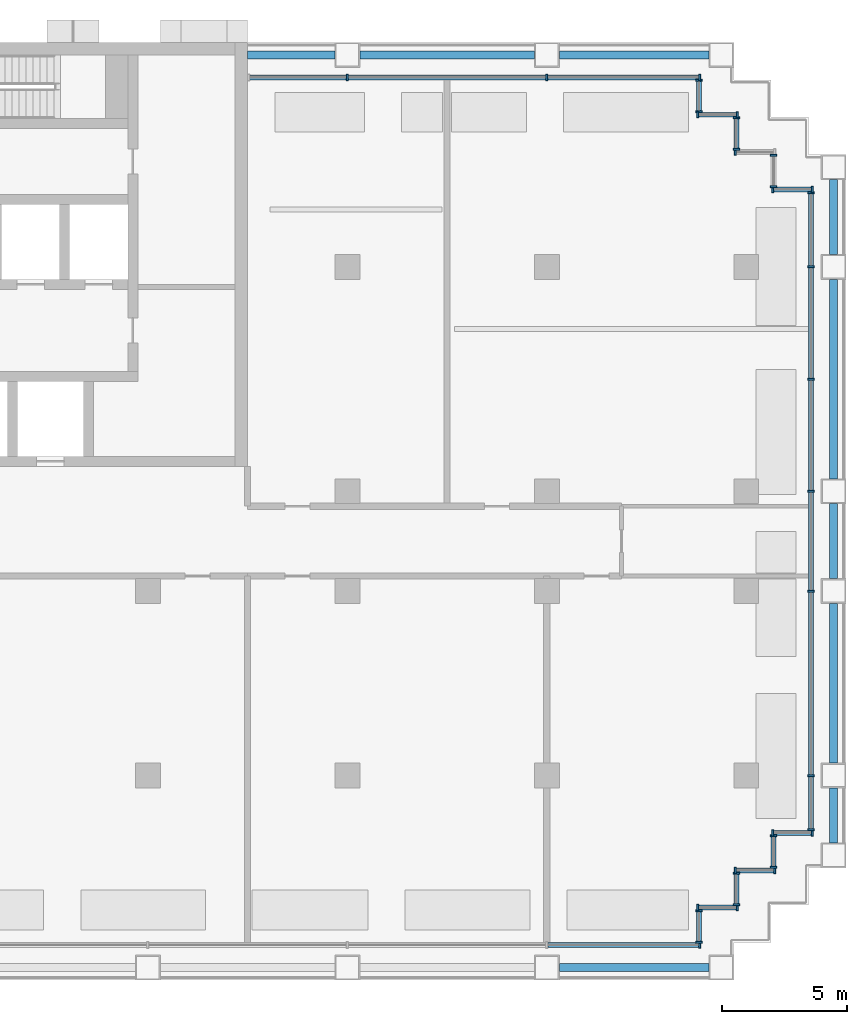
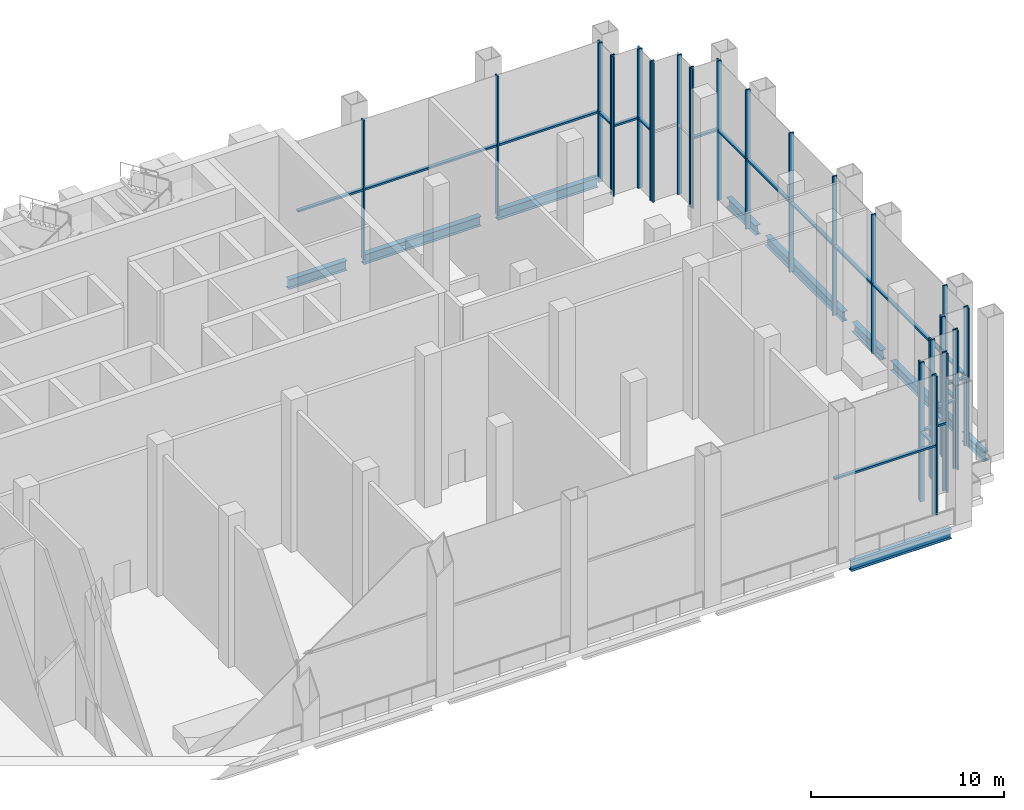
# One storey, part 5 of 16: 54 members, 9 beams, 15 elements without a shape of their own.
"""IFC4 building model written with IfcOpenShell, lengths in metres."""

from ifc_helpers import new_model, si_unit, direction, frame, origin, origin_2d, place, context, subcontext, project, spatial, rectangle, i_section, extrude, material, material_profile, profile_set, type_object, element, aggregate, save


model = new_model("IFC4")

# Units and contexts
model_context = context("Model", 3, precision=1e-05, world=origin(), true_north=direction((0.0, 1.0)))
body_context = subcontext(model_context, "Body", "Model", "MODEL_VIEW")
ifc_project = project(units=[si_unit("LENGTHUNIT", "METRE"), si_unit("AREAUNIT", "SQUARE_METRE"), si_unit("VOLUMEUNIT", "CUBIC_METRE"), si_unit("PLANEANGLEUNIT", "RADIAN"), si_unit("MASSUNIT", "GRAM", prefix="KILO")], contexts=[model_context])

# Site, building, storey
site_placement = place(None, origin())
site = spatial("IfcSite", under=ifc_project, at=site_placement, CompositionType="ELEMENT")
building_placement = place(site_placement, origin())
building = spatial("IfcBuilding", under=site, at=building_placement, Name="Vidyagriha Tower", CompositionType="ELEMENT")
storey_placement = place(building_placement, frame((0.0, 0.0, 64.0)))
storey = spatial("IfcBuildingStorey", under=building, at=storey_placement, Name="L17", CompositionType="ELEMENT", Elevation=64.0)

# Beams
ifc_material_1 = material(Name="Steel ASTM A992 Grade 50", Category="steel")
ifc_material_profile_1 = material_profile(ifc_material_1, i_section(OverallWidth=0.32373046875, OverallDepth=0.612060546875, WebThickness=0.0126953125, FlangeThickness=0.01904296875, at=origin_2d()), Name="W24X104")
ifc_profile_set_1 = profile_set([ifc_material_profile_1], Name="Steel ASTM A992 Grade 50")
beam_type = type_object("IfcBeamType", Name="Edge beam W24X104", PredefinedType="SPANDREL", material=ifc_profile_set_1)
beam_1_placement = place(storey_placement, frame((26.5, -17.10009765625, -0.7060546875), z_axis=(1.0, 0.0, 0.0), x_axis=(0.0, 1.0, 0.0)))
element("IfcBeam", 1, at=beam_1_placement, inside=storey, type_object=beam_type, Name="st-beam-L17-S09", PredefinedType="SPANDREL", context=body_context, shape_type="SweptSolid", body=[
    extrude(i_section(OverallWidth=0.32373046875, OverallDepth=0.612060546875, WebThickness=0.0126953125, FlangeThickness=0.01904296875, at=origin_2d()), origin(), (0.0, 0.0, 1.0), 6.0),
])
beam_2_placement = place(storey_placement, frame((37.5, -12.10009765625, -0.7060546875), z_axis=(0.0, 1.0, 0.0), x_axis=(-1.0, 0.0, 0.0)))
element("IfcBeam", 2, at=beam_2_placement, inside=storey, type_object=beam_type, Name="st-beam-L17-E15", PredefinedType="SPANDREL", context=body_context, shape_type="SweptSolid", body=[
    extrude(i_section(OverallWidth=0.32373046875, OverallDepth=0.612060546875, WebThickness=0.0126953125, FlangeThickness=0.01904296875, at=origin_2d()), origin(), (0.0, 0.0, 1.0), 2.2001953125),
])
beam_3_placement = place(storey_placement, frame((37.5, -8.89990234375, -0.7060546875), z_axis=(0.0, 1.0, 0.0), x_axis=(-1.0, 0.0, 0.0)))
element("IfcBeam", 3, at=beam_3_placement, inside=storey, type_object=beam_type, Name="st-beam-L17-E16", PredefinedType="SPANDREL", context=body_context, shape_type="SweptSolid", body=[
    extrude(i_section(OverallWidth=0.32373046875, OverallDepth=0.612060546875, WebThickness=0.0126953125, FlangeThickness=0.01904296875, at=origin_2d()), origin(), (0.0, 0.0, 1.0), 6.39990234375),
])
beam_4_placement = place(storey_placement, frame((37.5, -1.5, -0.7060546875), z_axis=(0.0, 1.0, 0.0), x_axis=(-1.0, 0.0, 0.0)))
element("IfcBeam", 4, at=beam_4_placement, inside=storey, type_object=beam_type, Name="st-beam-L17-E17", PredefinedType="SPANDREL", context=body_context, shape_type="SweptSolid", body=[
    extrude(i_section(OverallWidth=0.32373046875, OverallDepth=0.612060546875, WebThickness=0.0126953125, FlangeThickness=0.01904296875, at=origin_2d()), origin(), (0.0, 0.0, 1.0), 3.0),
])
beam_5_placement = place(storey_placement, frame((37.5, 2.5, -0.7060546875), z_axis=(0.0, 1.0, 0.0), x_axis=(-1.0, 0.0, 0.0)))
element("IfcBeam", 5, at=beam_5_placement, inside=storey, type_object=beam_type, Name="st-beam-L17-E18", PredefinedType="SPANDREL", context=body_context, shape_type="SweptSolid", body=[
    extrude(i_section(OverallWidth=0.32373046875, OverallDepth=0.612060546875, WebThickness=0.0126953125, FlangeThickness=0.01904296875, at=origin_2d()), origin(), (0.0, 0.0, 1.0), 8.0),
])
beam_6_placement = place(storey_placement, frame((37.5, 11.5, -0.7060546875), z_axis=(0.0, 1.0, 0.0), x_axis=(-1.0, 0.0, 0.0)))
element("IfcBeam", 6, at=beam_6_placement, inside=storey, type_object=beam_type, Name="st-beam-L17-E19", PredefinedType="SPANDREL", context=body_context, shape_type="SweptSolid", body=[
    extrude(i_section(OverallWidth=0.32373046875, OverallDepth=0.612060546875, WebThickness=0.0126953125, FlangeThickness=0.01904296875, at=origin_2d()), origin(), (0.0, 0.0, 1.0), 3.0),
])
beam_7_placement = place(storey_placement, frame((18.5, 19.5, -0.7060546875), z_axis=(1.0, 0.0, 0.0), x_axis=(0.0, 1.0, 0.0)))
element("IfcBeam", 7, at=beam_7_placement, inside=storey, type_object=beam_type, Name="st-beam-L17-NE22", PredefinedType="SPANDREL", context=body_context, shape_type="SweptSolid", body=[
    extrude(i_section(OverallWidth=0.32373046875, OverallDepth=0.612060546875, WebThickness=0.0126953125, FlangeThickness=0.01904296875, at=origin_2d()), origin(), (0.0, 0.0, 1.0), 7.0),
])
beam_8_placement = place(storey_placement, frame((26.5, 19.5, -0.7060546875), z_axis=(1.0, 0.0, 0.0), x_axis=(0.0, 1.0, 0.0)))
element("IfcBeam", 8, at=beam_8_placement, inside=storey, type_object=beam_type, Name="st-beam-L17-NE23", PredefinedType="SPANDREL", context=body_context, shape_type="SweptSolid", body=[
    extrude(i_section(OverallWidth=0.32373046875, OverallDepth=0.612060546875, WebThickness=0.0126953125, FlangeThickness=0.01904296875, at=origin_2d()), origin(), (0.0, 0.0, 1.0), 6.0),
])
beam_9_placement = place(storey_placement, frame((14.0, 19.5, -0.7060546875), z_axis=(1.0, 0.0, 0.0), x_axis=(0.0, 1.0, 0.0)))
element("IfcBeam", 9, at=beam_9_placement, inside=storey, type_object=beam_type, Name="st-beam-L17-NC25", PredefinedType="SPANDREL", context=body_context, shape_type="SweptSolid", body=[
    extrude(i_section(OverallWidth=0.32373046875, OverallDepth=0.612060546875, WebThickness=0.0126953125, FlangeThickness=0.01904296875, at=origin_2d()), origin(), (0.0, 0.0, 1.0), 3.5),
])

# Curtain wall, members
ifc_material_2 = material(Name="Aluminium and glass curtain wall", Category="aluminium")
curtain_wall_type = type_object("IfcCurtainWallType", Name="Winter garden glazing wall", PredefinedType="USERDEFINED", material=ifc_material_2)
curtain_wall_1_placement = place(storey_placement, origin())
curtain_wall_1 = element("IfcCurtainWall", 10, at=curtain_wall_1_placement, inside=storey, type_object=curtain_wall_type, Name="CW3 winter garden glazing", ObjectType="STICK GLAZING", PredefinedType="USERDEFINED")
ifc_material_3 = material(Name="Aluminium black anodised", Category="aluminium")
ifc_material_profile_2 = material_profile(ifc_material_3, rectangle(XDim=0.260009765625, YDim=0.080078125, at=origin_2d()), Name="Mullion 80x260 black aluminium")
ifc_profile_set_2 = profile_set([ifc_material_profile_2], Name="Aluminium black anodised")
member_type_1 = type_object("IfcMemberType", Name="Mullion 80x260 black aluminium", PredefinedType="MULLION", material=ifc_profile_set_2)
member_1_placement = place(storey_placement, frame((36.639892578125, 14.10009765625, 0.0), z_axis=(0.0, 0.0, 1.0), x_axis=(0.0, -1.0, 0.0)))
member_1 = element("IfcMember", 11, at=member_1_placement, type_object=member_type_1, Name="CW3 mullion 1", PredefinedType="MULLION", context=body_context, shape_type="SweptSolid", body=[
    extrude(rectangle(XDim=0.260009765625, YDim=0.080078125, at=origin_2d()), origin(), (0.0, 0.0, 1.0), 8.800048828125),
])
member_2_placement = place(storey_placement, frame((35.06005859375, 14.10009765625, 0.0), z_axis=(0.0, 0.0, 1.0), x_axis=(0.0, -1.0, 0.0)))
member_2 = element("IfcMember", 12, at=member_2_placement, type_object=member_type_1, Name="CW3 mullion 2", PredefinedType="MULLION", context=body_context, shape_type="SweptSolid", body=[
    extrude(rectangle(XDim=0.260009765625, YDim=0.080078125, at=origin_2d()), origin(), (0.0, 0.0, 1.0), 8.800048828125),
])

curtain_wall_2_placement = place(storey_placement, origin())
curtain_wall_2 = element("IfcCurtainWall", 13, at=curtain_wall_2_placement, inside=storey, type_object=curtain_wall_type, Name="CW3 winter garden glazing", ObjectType="STICK GLAZING", PredefinedType="USERDEFINED")
member_3_placement = place(storey_placement, frame((35.10009765625, 14.219970703125, 0.0), z_axis=(0.0, 0.0, 1.0), x_axis=(-1.0, 0.0, 0.0)))
member_3 = element("IfcMember", 14, at=member_3_placement, type_object=member_type_1, Name="CW3 mullion 1", PredefinedType="MULLION", context=body_context, shape_type="SweptSolid", body=[
    extrude(rectangle(XDim=0.260009765625, YDim=0.080078125, at=origin_2d()), origin(), (0.0, 0.0, 1.0), 8.800048828125),
])
member_4_placement = place(storey_placement, frame((35.10009765625, 15.47998046875, 0.0), z_axis=(0.0, 0.0, 1.0), x_axis=(-1.0, 0.0, 0.0)))
member_4 = element("IfcMember", 15, at=member_4_placement, type_object=member_type_1, Name="CW3 mullion 2", PredefinedType="MULLION", context=body_context, shape_type="SweptSolid", body=[
    extrude(rectangle(XDim=0.260009765625, YDim=0.080078125, at=origin_2d()), origin(), (0.0, 0.0, 1.0), 8.800048828125),
])
aggregate(curtain_wall_2, [member_3, member_4])

# Curtain wall, member
curtain_wall_3_placement = place(storey_placement, origin())
curtain_wall_3 = element("IfcCurtainWall", 16, at=curtain_wall_3_placement, inside=storey, type_object=curtain_wall_type, Name="CW3 winter garden glazing", ObjectType="STICK GLAZING", PredefinedType="USERDEFINED")
member_5_placement = place(storey_placement, frame((33.56005859375, 15.60009765625, 0.0), z_axis=(0.0, 0.0, 1.0), x_axis=(0.0, -1.0, 0.0)))
member_5 = element("IfcMember", 17, at=member_5_placement, type_object=member_type_1, Name="CW3 mullion 2", PredefinedType="MULLION", context=body_context, shape_type="SweptSolid", body=[
    extrude(rectangle(XDim=0.260009765625, YDim=0.080078125, at=origin_2d()), origin(), (0.0, 0.0, 1.0), 8.800048828125),
])
aggregate(curtain_wall_3, [member_5])

# Curtain wall, members
curtain_wall_4_placement = place(storey_placement, origin())
curtain_wall_4 = element("IfcCurtainWall", 18, at=curtain_wall_4_placement, inside=storey, type_object=curtain_wall_type, Name="CW3 winter garden glazing", ObjectType="STICK GLAZING", PredefinedType="USERDEFINED")
member_6_placement = place(storey_placement, frame((33.60009765625, 15.719970703125, 0.0), z_axis=(0.0, 0.0, 1.0), x_axis=(-1.0, 0.0, 0.0)))
member_6 = element("IfcMember", 19, at=member_6_placement, type_object=member_type_1, Name="CW3 mullion 1", PredefinedType="MULLION", context=body_context, shape_type="SweptSolid", body=[
    extrude(rectangle(XDim=0.260009765625, YDim=0.080078125, at=origin_2d()), origin(), (0.0, 0.0, 1.0), 8.800048828125),
])
member_7_placement = place(storey_placement, frame((33.60009765625, 16.97998046875, 0.0), z_axis=(0.0, 0.0, 1.0), x_axis=(-1.0, 0.0, 0.0)))
member_7 = element("IfcMember", 20, at=member_7_placement, type_object=member_type_1, Name="CW3 mullion 2", PredefinedType="MULLION", context=body_context, shape_type="SweptSolid", body=[
    extrude(rectangle(XDim=0.260009765625, YDim=0.080078125, at=origin_2d()), origin(), (0.0, 0.0, 1.0), 8.800048828125),
])

curtain_wall_5_placement = place(storey_placement, origin())
curtain_wall_5 = element("IfcCurtainWall", 21, at=curtain_wall_5_placement, inside=storey, type_object=curtain_wall_type, Name="CW3 winter garden glazing", ObjectType="STICK GLAZING", PredefinedType="USERDEFINED")
member_8_placement = place(storey_placement, frame((33.639892578125, 17.10009765625, 0.0), z_axis=(0.0, 0.0, 1.0), x_axis=(0.0, -1.0, 0.0)))
member_8 = element("IfcMember", 22, at=member_8_placement, type_object=member_type_1, Name="CW3 mullion 1", PredefinedType="MULLION", context=body_context, shape_type="SweptSolid", body=[
    extrude(rectangle(XDim=0.260009765625, YDim=0.080078125, at=origin_2d()), origin(), (0.0, 0.0, 1.0), 8.800048828125),
])
member_9_placement = place(storey_placement, frame((32.06005859375, 17.10009765625, 0.0), z_axis=(0.0, 0.0, 1.0), x_axis=(0.0, -1.0, 0.0)))
member_9 = element("IfcMember", 23, at=member_9_placement, type_object=member_type_1, Name="CW3 mullion 2", PredefinedType="MULLION", context=body_context, shape_type="SweptSolid", body=[
    extrude(rectangle(XDim=0.260009765625, YDim=0.080078125, at=origin_2d()), origin(), (0.0, 0.0, 1.0), 8.800048828125),
])

curtain_wall_6_placement = place(storey_placement, origin())
curtain_wall_6 = element("IfcCurtainWall", 24, at=curtain_wall_6_placement, inside=storey, type_object=curtain_wall_type, Name="CW3 winter garden glazing", ObjectType="STICK GLAZING", PredefinedType="USERDEFINED")
member_10_placement = place(storey_placement, frame((32.10009765625, 17.219970703125, 0.0), z_axis=(0.0, 0.0, 1.0), x_axis=(-1.0, 0.0, 0.0)))
member_10 = element("IfcMember", 25, at=member_10_placement, type_object=member_type_1, Name="CW3 mullion 1", PredefinedType="MULLION", context=body_context, shape_type="SweptSolid", body=[
    extrude(rectangle(XDim=0.260009765625, YDim=0.080078125, at=origin_2d()), origin(), (0.0, 0.0, 1.0), 8.800048828125),
])
member_11_placement = place(storey_placement, frame((32.10009765625, 18.47998046875, 0.0), z_axis=(0.0, 0.0, 1.0), x_axis=(-1.0, 0.0, 0.0)))
member_11 = element("IfcMember", 26, at=member_11_placement, type_object=member_type_1, Name="CW3 mullion 2", PredefinedType="MULLION", context=body_context, shape_type="SweptSolid", body=[
    extrude(rectangle(XDim=0.260009765625, YDim=0.080078125, at=origin_2d()), origin(), (0.0, 0.0, 1.0), 8.800048828125),
])

curtain_wall_7_placement = place(storey_placement, origin())
curtain_wall_7 = element("IfcCurtainWall", 27, at=curtain_wall_7_placement, inside=storey, type_object=curtain_wall_type, Name="CW3 winter garden glazing", ObjectType="STICK GLAZING", PredefinedType="USERDEFINED")
member_12_placement = place(storey_placement, frame((32.139892578125, 18.60009765625, 0.0), z_axis=(0.0, 0.0, 1.0), x_axis=(0.0, -1.0, 0.0)))
member_12 = element("IfcMember", 28, at=member_12_placement, type_object=member_type_1, Name="CW3 mullion 1", PredefinedType="MULLION", context=body_context, shape_type="SweptSolid", body=[
    extrude(rectangle(XDim=0.260009765625, YDim=0.080078125, at=origin_2d()), origin(), (0.0, 0.0, 1.0), 8.800048828125),
])
member_13_placement = place(storey_placement, frame((26.0, 18.60009765625, 0.0), z_axis=(0.0, 0.0, 1.0), x_axis=(0.0, -1.0, 0.0)))
member_13 = element("IfcMember", 29, at=member_13_placement, type_object=member_type_1, Name="CW3 mullion 2", PredefinedType="MULLION", context=body_context, shape_type="SweptSolid", body=[
    extrude(rectangle(XDim=0.260009765625, YDim=0.080078125, at=origin_2d()), origin(), (0.0, 0.0, 1.0), 8.800048828125),
])
member_14_placement = place(storey_placement, frame((18.0, 18.60009765625, 0.0), z_axis=(0.0, 0.0, 1.0), x_axis=(0.0, -1.0, 0.0)))
member_14 = element("IfcMember", 30, at=member_14_placement, type_object=member_type_1, Name="CW3 mullion 3", PredefinedType="MULLION", context=body_context, shape_type="SweptSolid", body=[
    extrude(rectangle(XDim=0.260009765625, YDim=0.080078125, at=origin_2d()), origin(), (0.0, 0.0, 1.0), 8.800048828125),
])

# Curtain wall, member
curtain_wall_8_placement = place(storey_placement, origin())
curtain_wall_8 = element("IfcCurtainWall", 31, at=curtain_wall_8_placement, inside=storey, type_object=curtain_wall_type, Name="CW3 winter garden glazing", ObjectType="STICK GLAZING", PredefinedType="USERDEFINED")
member_15_placement = place(storey_placement, frame((32.139892578125, -16.199951171875, 0.0), z_axis=(0.0, 0.0, 1.0), x_axis=(0.0, 1.0, 0.0)))
member_15 = element("IfcMember", 32, at=member_15_placement, type_object=member_type_1, Name="CW3 mullion 10", PredefinedType="MULLION", context=body_context, shape_type="SweptSolid", body=[
    extrude(rectangle(XDim=0.260009765625, YDim=0.080078125, at=origin_2d()), origin(), (0.0, 0.0, 1.0), 8.800048828125),
])

# Curtain wall, members
curtain_wall_9_placement = place(storey_placement, origin())
curtain_wall_9 = element("IfcCurtainWall", 33, at=curtain_wall_9_placement, inside=storey, type_object=curtain_wall_type, Name="CW3 winter garden glazing", ObjectType="STICK GLAZING", PredefinedType="USERDEFINED")
member_16_placement = place(storey_placement, frame((32.10009765625, -16.080078125, 0.0), z_axis=(0.0, 0.0, 1.0), x_axis=(-1.0, 0.0, 0.0)))
member_16 = element("IfcMember", 34, at=member_16_placement, type_object=member_type_1, Name="CW3 mullion 1", PredefinedType="MULLION", context=body_context, shape_type="SweptSolid", body=[
    extrude(rectangle(XDim=0.260009765625, YDim=0.080078125, at=origin_2d()), origin(), (0.0, 0.0, 1.0), 8.800048828125),
])
member_17_placement = place(storey_placement, frame((32.10009765625, -14.820068359375, 0.0), z_axis=(0.0, 0.0, 1.0), x_axis=(-1.0, 0.0, 0.0)))
member_17 = element("IfcMember", 35, at=member_17_placement, type_object=member_type_1, Name="CW3 mullion 2", PredefinedType="MULLION", context=body_context, shape_type="SweptSolid", body=[
    extrude(rectangle(XDim=0.260009765625, YDim=0.080078125, at=origin_2d()), origin(), (0.0, 0.0, 1.0), 8.800048828125),
])

curtain_wall_10_placement = place(storey_placement, origin())
curtain_wall_10 = element("IfcCurtainWall", 36, at=curtain_wall_10_placement, inside=storey, type_object=curtain_wall_type, Name="CW3 winter garden glazing", ObjectType="STICK GLAZING", PredefinedType="USERDEFINED")
member_18_placement = place(storey_placement, frame((32.06005859375, -14.699951171875, 0.0), z_axis=(0.0, 0.0, 1.0), x_axis=(0.0, 1.0, 0.0)))
member_18 = element("IfcMember", 37, at=member_18_placement, type_object=member_type_1, Name="CW3 mullion 1", PredefinedType="MULLION", context=body_context, shape_type="SweptSolid", body=[
    extrude(rectangle(XDim=0.260009765625, YDim=0.080078125, at=origin_2d()), origin(), (0.0, 0.0, 1.0), 8.800048828125),
])
member_19_placement = place(storey_placement, frame((33.639892578125, -14.699951171875, 0.0), z_axis=(0.0, 0.0, 1.0), x_axis=(0.0, 1.0, 0.0)))
member_19 = element("IfcMember", 38, at=member_19_placement, type_object=member_type_1, Name="CW3 mullion 2", PredefinedType="MULLION", context=body_context, shape_type="SweptSolid", body=[
    extrude(rectangle(XDim=0.260009765625, YDim=0.080078125, at=origin_2d()), origin(), (0.0, 0.0, 1.0), 8.800048828125),
])

curtain_wall_11_placement = place(storey_placement, origin())
curtain_wall_11 = element("IfcCurtainWall", 39, at=curtain_wall_11_placement, inside=storey, type_object=curtain_wall_type, Name="CW3 winter garden glazing", ObjectType="STICK GLAZING", PredefinedType="USERDEFINED")
member_20_placement = place(storey_placement, frame((33.60009765625, -14.580078125, 0.0), z_axis=(0.0, 0.0, 1.0), x_axis=(-1.0, 0.0, 0.0)))
member_20 = element("IfcMember", 40, at=member_20_placement, type_object=member_type_1, Name="CW3 mullion 1", PredefinedType="MULLION", context=body_context, shape_type="SweptSolid", body=[
    extrude(rectangle(XDim=0.260009765625, YDim=0.080078125, at=origin_2d()), origin(), (0.0, 0.0, 1.0), 8.800048828125),
])
member_21_placement = place(storey_placement, frame((33.60009765625, -13.320068359375, 0.0), z_axis=(0.0, 0.0, 1.0), x_axis=(-1.0, 0.0, 0.0)))
member_21 = element("IfcMember", 41, at=member_21_placement, type_object=member_type_1, Name="CW3 mullion 2", PredefinedType="MULLION", context=body_context, shape_type="SweptSolid", body=[
    extrude(rectangle(XDim=0.260009765625, YDim=0.080078125, at=origin_2d()), origin(), (0.0, 0.0, 1.0), 8.800048828125),
])

curtain_wall_12_placement = place(storey_placement, origin())
curtain_wall_12 = element("IfcCurtainWall", 42, at=curtain_wall_12_placement, inside=storey, type_object=curtain_wall_type, Name="CW3 winter garden glazing", ObjectType="STICK GLAZING", PredefinedType="USERDEFINED")
member_22_placement = place(storey_placement, frame((33.56005859375, -13.199951171875, 0.0), z_axis=(0.0, 0.0, 1.0), x_axis=(0.0, 1.0, 0.0)))
member_22 = element("IfcMember", 43, at=member_22_placement, type_object=member_type_1, Name="CW3 mullion 1", PredefinedType="MULLION", context=body_context, shape_type="SweptSolid", body=[
    extrude(rectangle(XDim=0.260009765625, YDim=0.080078125, at=origin_2d()), origin(), (0.0, 0.0, 1.0), 8.800048828125),
])
member_23_placement = place(storey_placement, frame((35.139892578125, -13.199951171875, 0.0), z_axis=(0.0, 0.0, 1.0), x_axis=(0.0, 1.0, 0.0)))
member_23 = element("IfcMember", 44, at=member_23_placement, type_object=member_type_1, Name="CW3 mullion 2", PredefinedType="MULLION", context=body_context, shape_type="SweptSolid", body=[
    extrude(rectangle(XDim=0.260009765625, YDim=0.080078125, at=origin_2d()), origin(), (0.0, 0.0, 1.0), 8.800048828125),
])

curtain_wall_13_placement = place(storey_placement, origin())
curtain_wall_13 = element("IfcCurtainWall", 45, at=curtain_wall_13_placement, inside=storey, type_object=curtain_wall_type, Name="CW3 winter garden glazing", ObjectType="STICK GLAZING", PredefinedType="USERDEFINED")
member_24_placement = place(storey_placement, frame((35.10009765625, -13.080078125, 0.0), z_axis=(0.0, 0.0, 1.0), x_axis=(-1.0, 0.0, 0.0)))
member_24 = element("IfcMember", 46, at=member_24_placement, type_object=member_type_1, Name="CW3 mullion 1", PredefinedType="MULLION", context=body_context, shape_type="SweptSolid", body=[
    extrude(rectangle(XDim=0.260009765625, YDim=0.080078125, at=origin_2d()), origin(), (0.0, 0.0, 1.0), 8.800048828125),
])
member_25_placement = place(storey_placement, frame((35.10009765625, -11.820068359375, 0.0), z_axis=(0.0, 0.0, 1.0), x_axis=(-1.0, 0.0, 0.0)))
member_25 = element("IfcMember", 47, at=member_25_placement, type_object=member_type_1, Name="CW3 mullion 2", PredefinedType="MULLION", context=body_context, shape_type="SweptSolid", body=[
    extrude(rectangle(XDim=0.260009765625, YDim=0.080078125, at=origin_2d()), origin(), (0.0, 0.0, 1.0), 8.800048828125),
])

curtain_wall_14_placement = place(storey_placement, origin())
curtain_wall_14 = element("IfcCurtainWall", 48, at=curtain_wall_14_placement, inside=storey, type_object=curtain_wall_type, Name="CW3 winter garden glazing", ObjectType="STICK GLAZING", PredefinedType="USERDEFINED")
member_26_placement = place(storey_placement, frame((35.06005859375, -11.699951171875, 0.0), z_axis=(0.0, 0.0, 1.0), x_axis=(0.0, 1.0, 0.0)))
member_26 = element("IfcMember", 49, at=member_26_placement, type_object=member_type_1, Name="CW3 mullion 1", PredefinedType="MULLION", context=body_context, shape_type="SweptSolid", body=[
    extrude(rectangle(XDim=0.260009765625, YDim=0.080078125, at=origin_2d()), origin(), (0.0, 0.0, 1.0), 8.800048828125),
])
member_27_placement = place(storey_placement, frame((36.639892578125, -11.699951171875, 0.0), z_axis=(0.0, 0.0, 1.0), x_axis=(0.0, 1.0, 0.0)))
member_27 = element("IfcMember", 50, at=member_27_placement, type_object=member_type_1, Name="CW3 mullion 2", PredefinedType="MULLION", context=body_context, shape_type="SweptSolid", body=[
    extrude(rectangle(XDim=0.260009765625, YDim=0.080078125, at=origin_2d()), origin(), (0.0, 0.0, 1.0), 8.800048828125),
])

curtain_wall_15_placement = place(storey_placement, origin())
curtain_wall_15 = element("IfcCurtainWall", 51, at=curtain_wall_15_placement, inside=storey, type_object=curtain_wall_type, Name="CW3 winter garden glazing", ObjectType="STICK GLAZING", PredefinedType="USERDEFINED")
member_28_placement = place(storey_placement, frame((36.60009765625, -11.580078125, 0.0), z_axis=(0.0, 0.0, 1.0), x_axis=(-1.0, 0.0, 0.0)))
member_28 = element("IfcMember", 52, at=member_28_placement, type_object=member_type_1, Name="CW3 mullion 1", PredefinedType="MULLION", context=body_context, shape_type="SweptSolid", body=[
    extrude(rectangle(XDim=0.260009765625, YDim=0.080078125, at=origin_2d()), origin(), (0.0, 0.0, 1.0), 8.800048828125),
])
member_29_placement = place(storey_placement, frame((36.60009765625, -9.39990234375, 0.0), z_axis=(0.0, 0.0, 1.0), x_axis=(-1.0, 0.0, 0.0)))
member_29 = element("IfcMember", 53, at=member_29_placement, type_object=member_type_1, Name="CW3 mullion 2", PredefinedType="MULLION", context=body_context, shape_type="SweptSolid", body=[
    extrude(rectangle(XDim=0.260009765625, YDim=0.080078125, at=origin_2d()), origin(), (0.0, 0.0, 1.0), 8.800048828125),
])
member_30_placement = place(storey_placement, frame((36.60009765625, -2.0, 0.0), z_axis=(0.0, 0.0, 1.0), x_axis=(-1.0, 0.0, 0.0)))
member_30 = element("IfcMember", 54, at=member_30_placement, type_object=member_type_1, Name="CW3 mullion 3", PredefinedType="MULLION", context=body_context, shape_type="SweptSolid", body=[
    extrude(rectangle(XDim=0.260009765625, YDim=0.080078125, at=origin_2d()), origin(), (0.0, 0.0, 1.0), 8.800048828125),
])
member_31_placement = place(storey_placement, frame((36.60009765625, 2.0, 0.0), z_axis=(0.0, 0.0, 1.0), x_axis=(-1.0, 0.0, 0.0)))
member_31 = element("IfcMember", 55, at=member_31_placement, type_object=member_type_1, Name="CW3 mullion 4", PredefinedType="MULLION", context=body_context, shape_type="SweptSolid", body=[
    extrude(rectangle(XDim=0.260009765625, YDim=0.080078125, at=origin_2d()), origin(), (0.0, 0.0, 1.0), 8.800048828125),
])
member_32_placement = place(storey_placement, frame((36.60009765625, 6.5, 0.0), z_axis=(0.0, 0.0, 1.0), x_axis=(-1.0, 0.0, 0.0)))
member_32 = element("IfcMember", 56, at=member_32_placement, type_object=member_type_1, Name="CW3 mullion 5", PredefinedType="MULLION", context=body_context, shape_type="SweptSolid", body=[
    extrude(rectangle(XDim=0.260009765625, YDim=0.080078125, at=origin_2d()), origin(), (0.0, 0.0, 1.0), 8.800048828125),
])
member_33_placement = place(storey_placement, frame((36.60009765625, 11.0, 0.0), z_axis=(0.0, 0.0, 1.0), x_axis=(-1.0, 0.0, 0.0)))
member_33 = element("IfcMember", 57, at=member_33_placement, type_object=member_type_1, Name="CW3 mullion 6", PredefinedType="MULLION", context=body_context, shape_type="SweptSolid", body=[
    extrude(rectangle(XDim=0.260009765625, YDim=0.080078125, at=origin_2d()), origin(), (0.0, 0.0, 1.0), 8.800048828125),
])
member_34_placement = place(storey_placement, frame((36.60009765625, 13.97998046875, 0.0), z_axis=(0.0, 0.0, 1.0), x_axis=(-1.0, 0.0, 0.0)))
member_34 = element("IfcMember", 58, at=member_34_placement, type_object=member_type_1, Name="CW3 mullion 7", PredefinedType="MULLION", context=body_context, shape_type="SweptSolid", body=[
    extrude(rectangle(XDim=0.260009765625, YDim=0.080078125, at=origin_2d()), origin(), (0.0, 0.0, 1.0), 8.800048828125),
])

# Member
ifc_material_4 = material(Name="Aluminium black anodised", Category="aluminium")
ifc_material_profile_3 = material_profile(ifc_material_4, rectangle(XDim=0.199951171875, YDim=0.1201171875, at=origin_2d()), Name="Transom 120x200 black aluminium")
ifc_profile_set_3 = profile_set([ifc_material_profile_3], Name="Aluminium black anodised")
member_type_2 = type_object("IfcMemberType", Name="Transom 120x200 black aluminium", PredefinedType="USERDEFINED", material=ifc_profile_set_3)
member_35_placement = place(storey_placement, frame((36.60009765625, 14.10009765625, 4.39990234375), z_axis=(-1.0, 0.0, 0.0), x_axis=(0.0, -1.0, 0.0)))
member_35 = element("IfcMember", 59, at=member_35_placement, type_object=member_type_2, Name="CW3 transom 1.1", ObjectType="TRANSOM", PredefinedType="USERDEFINED", context=body_context, shape_type="SweptSolid", body=[
    extrude(rectangle(XDim=0.199951171875, YDim=0.1201171875, at=origin_2d()), origin(), (0.0, 0.0, 1.0), 1.5),
])

aggregate(curtain_wall_1, [member_1, member_2, member_35])

member_36_placement = place(storey_placement, frame((33.60009765625, 15.760009765625, 4.39990234375), z_axis=(0.0, 1.0, 0.0), x_axis=(-1.0, 0.0, 0.0)))
member_36 = element("IfcMember", 60, at=member_36_placement, type_object=member_type_2, Name="CW3 transom 1.1", ObjectType="TRANSOM", PredefinedType="USERDEFINED", context=body_context, shape_type="SweptSolid", body=[
    extrude(rectangle(XDim=0.199951171875, YDim=0.1201171875, at=origin_2d()), origin(), (0.0, 0.0, 1.0), 1.179931640625),
])

aggregate(curtain_wall_4, [member_6, member_7, member_36])

member_37_placement = place(storey_placement, frame((33.60009765625, 17.10009765625, 4.39990234375), z_axis=(-1.0, 0.0, 0.0), x_axis=(0.0, -1.0, 0.0)))
member_37 = element("IfcMember", 61, at=member_37_placement, type_object=member_type_2, Name="CW3 transom 1.1", ObjectType="TRANSOM", PredefinedType="USERDEFINED", context=body_context, shape_type="SweptSolid", body=[
    extrude(rectangle(XDim=0.199951171875, YDim=0.1201171875, at=origin_2d()), origin(), (0.0, 0.0, 1.0), 1.5),
])

aggregate(curtain_wall_5, [member_8, member_9, member_37])

member_38_placement = place(storey_placement, frame((32.10009765625, 17.260009765625, 4.39990234375), z_axis=(0.0, 1.0, 0.0), x_axis=(-1.0, 0.0, 0.0)))
member_38 = element("IfcMember", 62, at=member_38_placement, type_object=member_type_2, Name="CW3 transom 1.1", ObjectType="TRANSOM", PredefinedType="USERDEFINED", context=body_context, shape_type="SweptSolid", body=[
    extrude(rectangle(XDim=0.199951171875, YDim=0.1201171875, at=origin_2d()), origin(), (0.0, 0.0, 1.0), 1.179931640625),
])

aggregate(curtain_wall_6, [member_10, member_11, member_38])

member_39_placement = place(storey_placement, frame((32.10009765625, 18.60009765625, 4.39990234375), z_axis=(-1.0, 0.0, 0.0), x_axis=(0.0, -1.0, 0.0)))
member_39 = element("IfcMember", 63, at=member_39_placement, type_object=member_type_2, Name="CW3 transom 1.1", ObjectType="TRANSOM", PredefinedType="USERDEFINED", context=body_context, shape_type="SweptSolid", body=[
    extrude(rectangle(XDim=0.199951171875, YDim=0.1201171875, at=origin_2d()), origin(), (0.0, 0.0, 1.0), 6.06005859375),
])

member_40_placement = place(storey_placement, frame((25.9599609375, 18.60009765625, 4.39990234375), z_axis=(-1.0, 0.0, 0.0), x_axis=(0.0, -1.0, 0.0)))
member_40 = element("IfcMember", 64, at=member_40_placement, type_object=member_type_2, Name="CW3 transom 2.1", ObjectType="TRANSOM", PredefinedType="USERDEFINED", context=body_context, shape_type="SweptSolid", body=[
    extrude(rectangle(XDim=0.199951171875, YDim=0.1201171875, at=origin_2d()), origin(), (0.0, 0.0, 1.0), 7.919921875),
])

member_41_placement = place(storey_placement, frame((17.9599609375, 18.60009765625, 4.39990234375), z_axis=(-1.0, 0.0, 0.0), x_axis=(0.0, -1.0, 0.0)))
member_41 = element("IfcMember", 65, at=member_41_placement, type_object=member_type_2, Name="CW3 transom 3.1", ObjectType="TRANSOM", PredefinedType="USERDEFINED", context=body_context, shape_type="SweptSolid", body=[
    extrude(rectangle(XDim=0.199951171875, YDim=0.1201171875, at=origin_2d()), origin(), (0.0, 0.0, 1.0), 3.8798828125),
])

aggregate(curtain_wall_7, [member_12, member_13, member_14, member_39, member_40, member_41])

member_42_placement = place(storey_placement, frame((26.0400390625, -16.199951171875, 4.39990234375), z_axis=(1.0, 0.0, 0.0), x_axis=(0.0, 1.0, 0.0)))
member_42 = element("IfcMember", 66, at=member_42_placement, type_object=member_type_2, Name="CW3 transom 9.1", ObjectType="TRANSOM", PredefinedType="USERDEFINED", context=body_context, shape_type="SweptSolid", body=[
    extrude(rectangle(XDim=0.199951171875, YDim=0.1201171875, at=origin_2d()), origin(), (0.0, 0.0, 1.0), 6.06005859375),
])

aggregate(curtain_wall_8, [member_15, member_42])

member_43_placement = place(storey_placement, frame((32.10009765625, -16.0400390625, 4.39990234375), z_axis=(0.0, 1.0, 0.0), x_axis=(-1.0, 0.0, 0.0)))
member_43 = element("IfcMember", 67, at=member_43_placement, type_object=member_type_2, Name="CW3 transom 1.1", ObjectType="TRANSOM", PredefinedType="USERDEFINED", context=body_context, shape_type="SweptSolid", body=[
    extrude(rectangle(XDim=0.199951171875, YDim=0.1201171875, at=origin_2d()), origin(), (0.0, 0.0, 1.0), 1.179931640625),
])

aggregate(curtain_wall_9, [member_16, member_17, member_43])

member_44_placement = place(storey_placement, frame((32.10009765625, -14.699951171875, 4.39990234375), z_axis=(1.0, 0.0, 0.0), x_axis=(0.0, 1.0, 0.0)))
member_44 = element("IfcMember", 68, at=member_44_placement, type_object=member_type_2, Name="CW3 transom 1.1", ObjectType="TRANSOM", PredefinedType="USERDEFINED", context=body_context, shape_type="SweptSolid", body=[
    extrude(rectangle(XDim=0.199951171875, YDim=0.1201171875, at=origin_2d()), origin(), (0.0, 0.0, 1.0), 1.5),
])

aggregate(curtain_wall_10, [member_18, member_19, member_44])

member_45_placement = place(storey_placement, frame((33.60009765625, -14.5400390625, 4.39990234375), z_axis=(0.0, 1.0, 0.0), x_axis=(-1.0, 0.0, 0.0)))
member_45 = element("IfcMember", 69, at=member_45_placement, type_object=member_type_2, Name="CW3 transom 1.1", ObjectType="TRANSOM", PredefinedType="USERDEFINED", context=body_context, shape_type="SweptSolid", body=[
    extrude(rectangle(XDim=0.199951171875, YDim=0.1201171875, at=origin_2d()), origin(), (0.0, 0.0, 1.0), 1.179931640625),
])

aggregate(curtain_wall_11, [member_20, member_21, member_45])

member_46_placement = place(storey_placement, frame((33.60009765625, -13.199951171875, 4.39990234375), z_axis=(1.0, 0.0, 0.0), x_axis=(0.0, 1.0, 0.0)))
member_46 = element("IfcMember", 70, at=member_46_placement, type_object=member_type_2, Name="CW3 transom 1.1", ObjectType="TRANSOM", PredefinedType="USERDEFINED", context=body_context, shape_type="SweptSolid", body=[
    extrude(rectangle(XDim=0.199951171875, YDim=0.1201171875, at=origin_2d()), origin(), (0.0, 0.0, 1.0), 1.5),
])

aggregate(curtain_wall_12, [member_22, member_23, member_46])

member_47_placement = place(storey_placement, frame((35.10009765625, -13.0400390625, 4.39990234375), z_axis=(0.0, 1.0, 0.0), x_axis=(-1.0, 0.0, 0.0)))
member_47 = element("IfcMember", 71, at=member_47_placement, type_object=member_type_2, Name="CW3 transom 1.1", ObjectType="TRANSOM", PredefinedType="USERDEFINED", context=body_context, shape_type="SweptSolid", body=[
    extrude(rectangle(XDim=0.199951171875, YDim=0.1201171875, at=origin_2d()), origin(), (0.0, 0.0, 1.0), 1.179931640625),
])

aggregate(curtain_wall_13, [member_24, member_25, member_47])

member_48_placement = place(storey_placement, frame((35.10009765625, -11.699951171875, 4.39990234375), z_axis=(1.0, 0.0, 0.0), x_axis=(0.0, 1.0, 0.0)))
member_48 = element("IfcMember", 72, at=member_48_placement, type_object=member_type_2, Name="CW3 transom 1.1", ObjectType="TRANSOM", PredefinedType="USERDEFINED", context=body_context, shape_type="SweptSolid", body=[
    extrude(rectangle(XDim=0.199951171875, YDim=0.1201171875, at=origin_2d()), origin(), (0.0, 0.0, 1.0), 1.5),
])

aggregate(curtain_wall_14, [member_26, member_27, member_48])

member_49_placement = place(storey_placement, frame((36.60009765625, -11.5400390625, 4.39990234375), z_axis=(0.0, 1.0, 0.0), x_axis=(-1.0, 0.0, 0.0)))
member_49 = element("IfcMember", 73, at=member_49_placement, type_object=member_type_2, Name="CW3 transom 1.1", ObjectType="TRANSOM", PredefinedType="USERDEFINED", context=body_context, shape_type="SweptSolid", body=[
    extrude(rectangle(XDim=0.199951171875, YDim=0.1201171875, at=origin_2d()), origin(), (0.0, 0.0, 1.0), 2.10009765625),
])

member_50_placement = place(storey_placement, frame((36.60009765625, -9.360107421875, 4.39990234375), z_axis=(0.0, 1.0, 0.0), x_axis=(-1.0, 0.0, 0.0)))
member_50 = element("IfcMember", 74, at=member_50_placement, type_object=member_type_2, Name="CW3 transom 2.1", ObjectType="TRANSOM", PredefinedType="USERDEFINED", context=body_context, shape_type="SweptSolid", body=[
    extrude(rectangle(XDim=0.199951171875, YDim=0.1201171875, at=origin_2d()), origin(), (0.0, 0.0, 1.0), 7.320068359375),
])

member_51_placement = place(storey_placement, frame((36.60009765625, -1.9599609375, 4.39990234375), z_axis=(0.0, 1.0, 0.0), x_axis=(-1.0, 0.0, 0.0)))
member_51 = element("IfcMember", 75, at=member_51_placement, type_object=member_type_2, Name="CW3 transom 3.1", ObjectType="TRANSOM", PredefinedType="USERDEFINED", context=body_context, shape_type="SweptSolid", body=[
    extrude(rectangle(XDim=0.199951171875, YDim=0.1201171875, at=origin_2d()), origin(), (0.0, 0.0, 1.0), 3.919921875),
])

member_52_placement = place(storey_placement, frame((36.60009765625, 2.0400390625, 4.39990234375), z_axis=(0.0, 1.0, 0.0), x_axis=(-1.0, 0.0, 0.0)))
member_52 = element("IfcMember", 76, at=member_52_placement, type_object=member_type_2, Name="CW3 transom 4.1", ObjectType="TRANSOM", PredefinedType="USERDEFINED", context=body_context, shape_type="SweptSolid", body=[
    extrude(rectangle(XDim=0.199951171875, YDim=0.1201171875, at=origin_2d()), origin(), (0.0, 0.0, 1.0), 4.419921875),
])

member_53_placement = place(storey_placement, frame((36.60009765625, 6.5400390625, 4.39990234375), z_axis=(0.0, 1.0, 0.0), x_axis=(-1.0, 0.0, 0.0)))
member_53 = element("IfcMember", 77, at=member_53_placement, type_object=member_type_2, Name="CW3 transom 5.1", ObjectType="TRANSOM", PredefinedType="USERDEFINED", context=body_context, shape_type="SweptSolid", body=[
    extrude(rectangle(XDim=0.199951171875, YDim=0.1201171875, at=origin_2d()), origin(), (0.0, 0.0, 1.0), 4.419921875),
])

member_54_placement = place(storey_placement, frame((36.60009765625, 11.0400390625, 4.39990234375), z_axis=(0.0, 1.0, 0.0), x_axis=(-1.0, 0.0, 0.0)))
member_54 = element("IfcMember", 78, at=member_54_placement, type_object=member_type_2, Name="CW3 transom 6.1", ObjectType="TRANSOM", PredefinedType="USERDEFINED", context=body_context, shape_type="SweptSolid", body=[
    extrude(rectangle(XDim=0.199951171875, YDim=0.1201171875, at=origin_2d()), origin(), (0.0, 0.0, 1.0), 2.89990234375),
])

aggregate(curtain_wall_15, [member_28, member_29, member_30, member_31, member_32, member_33, member_34, member_49, member_50, member_51, member_52, member_53, member_54])

save(model, "model.ifc")
